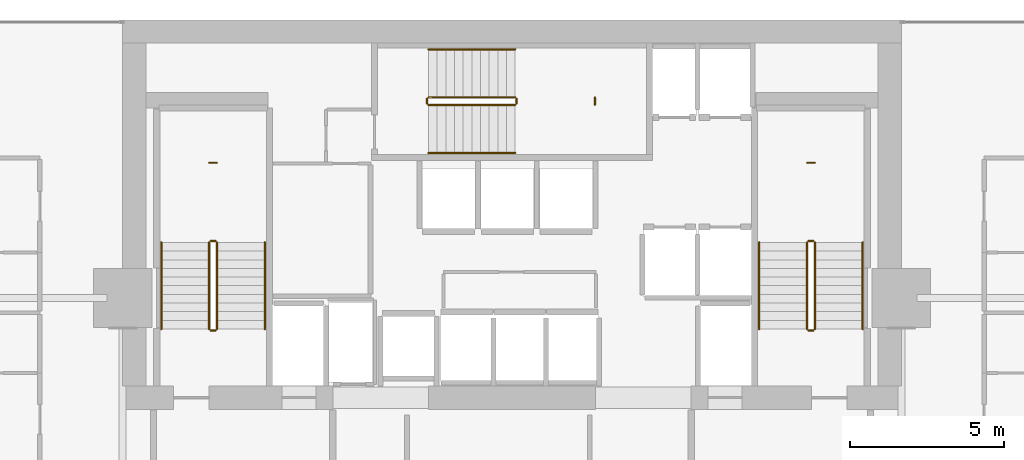
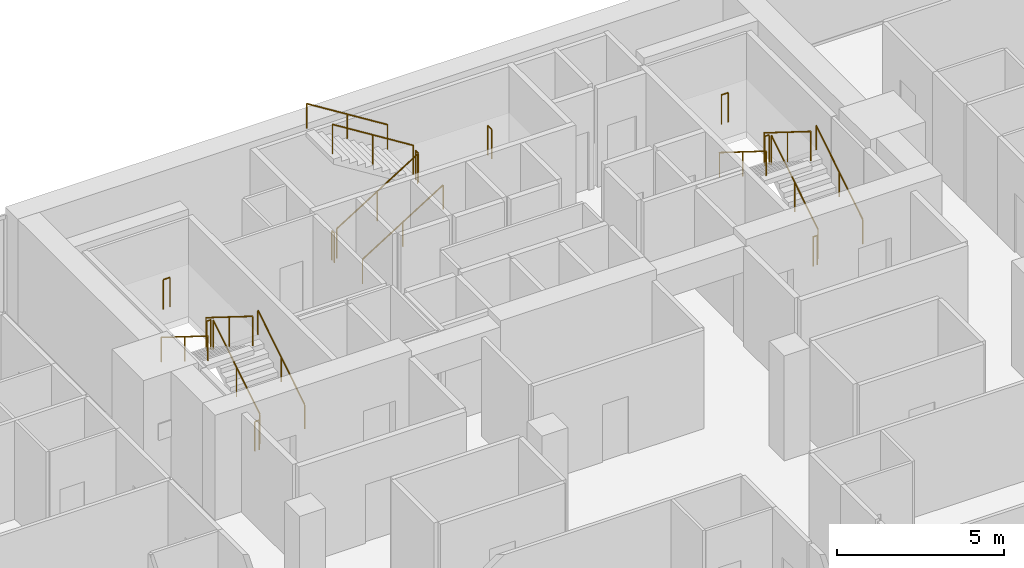
# One storey, part 34 of 34: 21 railings.
"""IFC4 building model written with IfcOpenShell, lengths in metres."""

from ifc_helpers import new_model, si_unit, direction, frame, origin, origin_2d, place, context, subcontext, project, spatial, circle, extrude, material, type_object, element, save


model = new_model("IFC4")

# Units and contexts
model_context = context("Model", 3, precision=1e-05, world=origin(), true_north=direction((0.0, 1.0)))
body_context = subcontext(model_context, "Body", "Model", "MODEL_VIEW")
ifc_project = project(units=[si_unit("LENGTHUNIT", "METRE"), si_unit("AREAUNIT", "SQUARE_METRE"), si_unit("VOLUMEUNIT", "CUBIC_METRE"), si_unit("PLANEANGLEUNIT", "RADIAN"), si_unit("MASSUNIT", "GRAM", prefix="KILO")], contexts=[model_context])

# Site, building, storey
site_placement = place(None, origin())
site = spatial("IfcSite", under=ifc_project, at=site_placement, CompositionType="ELEMENT")
building_placement = place(site_placement, origin())
building = spatial("IfcBuilding", under=site, at=building_placement, Name="Maruvema Waterfront Hotel and Observation Tower", CompositionType="ELEMENT")
storey_placement = place(building_placement, frame((0.0, 0.0, 173.60009765625)))
storey = spatial("IfcBuildingStorey", under=building, at=storey_placement, Name="L42", CompositionType="ELEMENT", Elevation=173.60009765625)

# Railings
ifc_material_1 = material(Name="Brushed stainless steel Grade 316", Category="steel")
railing_type_1 = type_object("IfcRailingType", Name="Ramp Continuous Wall Handrail 920 mm", PredefinedType="HANDRAIL", material=ifc_material_1)
railing_1_placement = place(storey_placement, frame((29.800048828125, 44.0, 0.1748046875)))
element("IfcRailing", 1, at=railing_1_placement, inside=storey, type_object=railing_type_1, Name="L42 ST-01 stair handrail 1", PredefinedType="HANDRAIL", context=body_context, shape_type="SweptSolid", body=[
    extrude(circle(Radius=0.02392578125, at=origin_2d()), frame((0.0, 0.0, 0.89599609375), z_axis=(0.0, 0.848002457836, 0.529992293815), x_axis=(-1.0, 0.0, 0.0)), (0.0, 0.0, 1.0), 3.302001953125),
    extrude(circle(Radius=0.02099609375, at=origin_2d()), origin(), (0.0, 0.0, 1.0), 0.871826171875),
    extrude(circle(Radius=0.02099609375, at=origin_2d()), frame((0.0, 1.39990234375, 0.875)), (0.0, 0.0, 1.0), 0.871826171875),
    extrude(circle(Radius=0.02099609375, at=origin_2d()), frame((0.0, 2.800048828125, 1.75)), (0.0, 0.0, 1.0), 0.871826171875),
])
railing_2_placement = place(storey_placement, frame((26.449951171875, 46.800048828125, 2.099853515625)))
element("IfcRailing", 2, at=railing_2_placement, inside=storey, type_object=railing_type_1, Name="L42 ST-01 stair handrail 2", PredefinedType="HANDRAIL", context=body_context, shape_type="SweptSolid", body=[
    extrude(circle(Radius=0.02392578125, at=origin_2d()), frame((0.0, 0.0, 0.89599609375), z_axis=(0.0, -0.848002457836, 0.529992293815), x_axis=(1.0, 0.0, 0.0)), (0.0, 0.0, 1.0), 3.302001953125),
    extrude(circle(Radius=0.02099609375, at=origin_2d()), origin(), (0.0, 0.0, 1.0), 0.871826171875),
    extrude(circle(Radius=0.02099609375, at=origin_2d()), frame((0.0, -1.39990234375, 0.875)), (0.0, 0.0, 1.0), 0.871826171875),
    extrude(circle(Radius=0.02099609375, at=origin_2d()), frame((0.0, -2.800048828125, 1.75)), (0.0, 0.0, 1.0), 0.871826171875),
])
railing_3_placement = place(storey_placement, frame((35.10009765625, 49.699951171875, 0.1748046875)))
element("IfcRailing", 3, at=railing_3_placement, inside=storey, type_object=railing_type_1, Name="L42 ST-02 stair handrail 1", PredefinedType="HANDRAIL", context=body_context, shape_type="SweptSolid", body=[
    extrude(circle(Radius=0.02392578125, at=origin_2d()), frame((0.0, 0.0, 0.89599609375), z_axis=(0.847981687118, 0.0, 0.530025526095), x_axis=(0.0, 1.0, 0.0)), (0.0, 0.0, 1.0), 3.3017578125),
    extrude(circle(Radius=0.02099609375, at=origin_2d()), origin(), (0.0, 0.0, 1.0), 0.871826171875),
    extrude(circle(Radius=0.02099609375, at=origin_2d()), frame((1.39990234375, 0.0, 0.875)), (0.0, 0.0, 1.0), 0.871826171875),
    extrude(circle(Radius=0.02099609375, at=origin_2d()), frame((2.7998046875, 0.0, 1.75)), (0.0, 0.0, 1.0), 0.871826171875),
])
railing_4_placement = place(storey_placement, frame((37.89990234375, 53.050048828125, 2.099853515625)))
element("IfcRailing", 4, at=railing_4_placement, inside=storey, type_object=railing_type_1, Name="L42 ST-02 stair handrail 2", PredefinedType="HANDRAIL", context=body_context, shape_type="SweptSolid", body=[
    extrude(circle(Radius=0.02392578125, at=origin_2d()), frame((0.0, 0.0, 0.89599609375), z_axis=(-0.847981687118, 0.0, 0.530025526095), x_axis=(0.0, -1.0, 0.0)), (0.0, 0.0, 1.0), 3.3017578125),
    extrude(circle(Radius=0.02099609375, at=origin_2d()), origin(), (0.0, 0.0, 1.0), 0.871826171875),
    extrude(circle(Radius=0.02099609375, at=origin_2d()), frame((-1.39990234375, 0.0, 0.875)), (0.0, 0.0, 1.0), 0.871826171875),
    extrude(circle(Radius=0.02099609375, at=origin_2d()), frame((-2.7998046875, 0.0, 1.75)), (0.0, 0.0, 1.0), 0.871826171875),
])
railing_5_placement = place(storey_placement, frame((49.14990234375, 44.0, 0.1748046875)))
element("IfcRailing", 5, at=railing_5_placement, inside=storey, type_object=railing_type_1, Name="L42 ST-03 stair handrail 1", PredefinedType="HANDRAIL", context=body_context, shape_type="SweptSolid", body=[
    extrude(circle(Radius=0.02392578125, at=origin_2d()), frame((0.0, 0.0, 0.89599609375), z_axis=(0.0, 0.848002457836, 0.529992293815), x_axis=(-1.0, 0.0, 0.0)), (0.0, 0.0, 1.0), 3.302001953125),
    extrude(circle(Radius=0.02099609375, at=origin_2d()), origin(), (0.0, 0.0, 1.0), 0.871826171875),
    extrude(circle(Radius=0.02099609375, at=origin_2d()), frame((0.0, 1.39990234375, 0.875)), (0.0, 0.0, 1.0), 0.871826171875),
    extrude(circle(Radius=0.02099609375, at=origin_2d()), frame((0.0, 2.800048828125, 1.75)), (0.0, 0.0, 1.0), 0.871826171875),
])
railing_6_placement = place(storey_placement, frame((45.800048828125, 46.800048828125, 2.099853515625)))
element("IfcRailing", 6, at=railing_6_placement, inside=storey, type_object=railing_type_1, Name="L42 ST-03 stair handrail 2", PredefinedType="HANDRAIL", context=body_context, shape_type="SweptSolid", body=[
    extrude(circle(Radius=0.02392578125, at=origin_2d()), frame((0.0, 0.0, 0.89599609375), z_axis=(0.0, -0.848002457836, 0.529992293815), x_axis=(1.0, 0.0, 0.0)), (0.0, 0.0, 1.0), 3.302001953125),
    extrude(circle(Radius=0.02099609375, at=origin_2d()), origin(), (0.0, 0.0, 1.0), 0.871826171875),
    extrude(circle(Radius=0.02099609375, at=origin_2d()), frame((0.0, -1.39990234375, 0.875)), (0.0, 0.0, 1.0), 0.871826171875),
    extrude(circle(Radius=0.02099609375, at=origin_2d()), frame((0.0, -2.800048828125, 1.75)), (0.0, 0.0, 1.0), 0.871826171875),
])
ifc_material_2 = material(Name="Brushed stainless steel Grade 316", Category="steel")
railing_type_2 = type_object("IfcRailingType", Name="Ramp and Terrace Guard Balustrade 1100 mm", PredefinedType="BALUSTRADE", material=ifc_material_2)
railing_7_placement = place(storey_placement, frame((28.25, 44.0, 0.1748046875)))
element("IfcRailing", 7, at=railing_7_placement, inside=storey, type_object=railing_type_2, Name="L42 ST-01 stair guard 1", PredefinedType="BALUSTRADE", context=body_context, shape_type="SweptSolid", body=[
    extrude(circle(Radius=0.02392578125, at=origin_2d()), frame((0.0, 0.0, 1.076171875), z_axis=(0.0, 0.848002457836, 0.529992293815), x_axis=(-1.0, 0.0, 0.0)), (0.0, 0.0, 1.0), 3.302001953125),
    extrude(circle(Radius=0.02099609375, at=origin_2d()), origin(), (0.0, 0.0, 1.0), 1.052001953125),
    extrude(circle(Radius=0.02099609375, at=origin_2d()), frame((0.0, 1.39990234375, 0.875)), (0.0, 0.0, 1.0), 1.052001953125),
    extrude(circle(Radius=0.02099609375, at=origin_2d()), frame((0.0, 2.800048828125, 1.75)), (0.0, 0.0, 1.0), 1.052001953125),
])
railing_8_placement = place(storey_placement, frame((28.199951171875, 46.85009765625, 1.9248046875)))
element("IfcRailing", 8, at=railing_8_placement, inside=storey, type_object=railing_type_2, Name="L42 ST-01 stair guard 2", PredefinedType="BALUSTRADE", context=body_context, shape_type="SweptSolid", body=[
    extrude(circle(Radius=0.02392578125, at=origin_2d()), frame((0.0, 0.0, 1.076171875), z_axis=(-1.0, 0.0, 0.0), x_axis=(0.0, -1.0, 0.0)), (0.0, 0.0, 1.0), 0.14990234375),
    extrude(circle(Radius=0.02099609375, at=origin_2d()), origin(), (0.0, 0.0, 1.0), 1.052001953125),
    extrude(circle(Radius=0.02099609375, at=origin_2d()), frame((-0.14990234375, 0.0, 0.0)), (0.0, 0.0, 1.0), 1.052001953125),
])
railing_9_placement = place(storey_placement, frame((28.0, 46.800048828125, 2.099853515625)))
element("IfcRailing", 9, at=railing_9_placement, inside=storey, type_object=railing_type_2, Name="L42 ST-01 stair guard 3", PredefinedType="BALUSTRADE", context=body_context, shape_type="SweptSolid", body=[
    extrude(circle(Radius=0.02392578125, at=origin_2d()), frame((0.0, 0.0, 1.076171875), z_axis=(0.0, -0.848002457836, 0.529992293815), x_axis=(1.0, 0.0, 0.0)), (0.0, 0.0, 1.0), 3.302001953125),
    extrude(circle(Radius=0.02099609375, at=origin_2d()), origin(), (0.0, 0.0, 1.0), 1.052001953125),
    extrude(circle(Radius=0.02099609375, at=origin_2d()), frame((0.0, -1.39990234375, 0.875)), (0.0, 0.0, 1.0), 1.052001953125),
    extrude(circle(Radius=0.02099609375, at=origin_2d()), frame((0.0, -2.800048828125, 1.75)), (0.0, 0.0, 1.0), 1.052001953125),
])
railing_10_placement = place(storey_placement, frame((28.199951171875, 43.949951171875, 0.0)))
element("IfcRailing", 10, at=railing_10_placement, inside=storey, type_object=railing_type_2, Name="L42 ST-01 stair guard 4", PredefinedType="BALUSTRADE", context=body_context, shape_type="SweptSolid", body=[
    extrude(circle(Radius=0.02392578125, at=origin_2d()), frame((0.0, 0.0, 1.076171875), z_axis=(-1.0, 0.0, 0.0), x_axis=(0.0, -1.0, 0.0)), (0.0, 0.0, 1.0), 0.14990234375),
    extrude(circle(Radius=0.02099609375, at=origin_2d()), origin(), (0.0, 0.0, 1.0), 1.052001953125),
    extrude(circle(Radius=0.02099609375, at=origin_2d()), frame((-0.14990234375, 0.0, 0.0)), (0.0, 0.0, 1.0), 1.052001953125),
])
railing_11_placement = place(storey_placement, frame((28.239990234375, 49.3798828125, 1.9248046875)))
element("IfcRailing", 11, at=railing_11_placement, inside=storey, type_object=railing_type_2, Name="L42 ST-01 Half-Landing Slot Guard", PredefinedType="BALUSTRADE", context=body_context, shape_type="SweptSolid", body=[
    extrude(circle(Radius=0.02392578125, at=origin_2d()), frame((0.0, 0.0, 1.076171875), z_axis=(-1.0, 0.0, 0.0), x_axis=(0.0, -1.0, 0.0)), (0.0, 0.0, 1.0), 0.22998046875),
    extrude(circle(Radius=0.02099609375, at=origin_2d()), origin(), (0.0, 0.0, 1.0), 1.052001953125),
    extrude(circle(Radius=0.02099609375, at=origin_2d()), frame((-0.22998046875, 0.0, 0.0)), (0.0, 0.0, 1.0), 1.052001953125),
])
railing_12_placement = place(storey_placement, frame((35.10009765625, 51.25, 0.1748046875)))
element("IfcRailing", 12, at=railing_12_placement, inside=storey, type_object=railing_type_2, Name="L42 ST-02 stair guard 1", PredefinedType="BALUSTRADE", context=body_context, shape_type="SweptSolid", body=[
    extrude(circle(Radius=0.02392578125, at=origin_2d()), frame((0.0, 0.0, 1.076171875), z_axis=(0.847981687118, 0.0, 0.530025526095), x_axis=(0.0, 1.0, 0.0)), (0.0, 0.0, 1.0), 3.3017578125),
    extrude(circle(Radius=0.02099609375, at=origin_2d()), origin(), (0.0, 0.0, 1.0), 1.052001953125),
    extrude(circle(Radius=0.02099609375, at=origin_2d()), frame((1.39990234375, 0.0, 0.875)), (0.0, 0.0, 1.0), 1.052001953125),
    extrude(circle(Radius=0.02099609375, at=origin_2d()), frame((2.7998046875, 0.0, 1.75)), (0.0, 0.0, 1.0), 1.052001953125),
])
railing_13_placement = place(storey_placement, frame((37.949951171875, 51.300048828125, 1.9248046875)))
element("IfcRailing", 13, at=railing_13_placement, inside=storey, type_object=railing_type_2, Name="L42 ST-02 stair guard 2", PredefinedType="BALUSTRADE", context=body_context, shape_type="SweptSolid", body=[
    extrude(circle(Radius=0.02392578125, at=origin_2d()), frame((0.0, 0.0, 1.076171875), z_axis=(0.0, 1.0, 0.0), x_axis=(-1.0, 0.0, 0.0)), (0.0, 0.0, 1.0), 0.14990234375),
    extrude(circle(Radius=0.02099609375, at=origin_2d()), origin(), (0.0, 0.0, 1.0), 1.052001953125),
    extrude(circle(Radius=0.02099609375, at=origin_2d()), frame((0.0, 0.14990234375, 0.0)), (0.0, 0.0, 1.0), 1.052001953125),
])
railing_14_placement = place(storey_placement, frame((37.89990234375, 51.5, 2.099853515625)))
element("IfcRailing", 14, at=railing_14_placement, inside=storey, type_object=railing_type_2, Name="L42 ST-02 stair guard 3", PredefinedType="BALUSTRADE", context=body_context, shape_type="SweptSolid", body=[
    extrude(circle(Radius=0.02392578125, at=origin_2d()), frame((0.0, 0.0, 1.076171875), z_axis=(-0.847981687118, 0.0, 0.530025526095), x_axis=(0.0, -1.0, 0.0)), (0.0, 0.0, 1.0), 3.3017578125),
    extrude(circle(Radius=0.02099609375, at=origin_2d()), origin(), (0.0, 0.0, 1.0), 1.052001953125),
    extrude(circle(Radius=0.02099609375, at=origin_2d()), frame((-1.39990234375, 0.0, 0.875)), (0.0, 0.0, 1.0), 1.052001953125),
    extrude(circle(Radius=0.02099609375, at=origin_2d()), frame((-2.7998046875, 0.0, 1.75)), (0.0, 0.0, 1.0), 1.052001953125),
])
railing_15_placement = place(storey_placement, frame((35.050048828125, 51.300048828125, 0.0)))
element("IfcRailing", 15, at=railing_15_placement, inside=storey, type_object=railing_type_2, Name="L42 ST-02 stair guard 4", PredefinedType="BALUSTRADE", context=body_context, shape_type="SweptSolid", body=[
    extrude(circle(Radius=0.02392578125, at=origin_2d()), frame((0.0, 0.0, 1.076171875), z_axis=(0.0, 1.0, 0.0), x_axis=(-1.0, 0.0, 0.0)), (0.0, 0.0, 1.0), 0.14990234375),
    extrude(circle(Radius=0.02099609375, at=origin_2d()), origin(), (0.0, 0.0, 1.0), 1.052001953125),
    extrude(circle(Radius=0.02099609375, at=origin_2d()), frame((0.0, 0.14990234375, 0.0)), (0.0, 0.0, 1.0), 1.052001953125),
])
railing_16_placement = place(storey_placement, frame((40.47998046875, 51.260009765625, 1.9248046875)))
element("IfcRailing", 16, at=railing_16_placement, inside=storey, type_object=railing_type_2, Name="L42 ST-02 Half-Landing Slot Guard", PredefinedType="BALUSTRADE", context=body_context, shape_type="SweptSolid", body=[
    extrude(circle(Radius=0.02392578125, at=origin_2d()), frame((0.0, 0.0, 1.076171875), z_axis=(0.0, 1.0, 0.0), x_axis=(-1.0, 0.0, 0.0)), (0.0, 0.0, 1.0), 0.22998046875),
    extrude(circle(Radius=0.02099609375, at=origin_2d()), origin(), (0.0, 0.0, 1.0), 1.052001953125),
    extrude(circle(Radius=0.02099609375, at=origin_2d()), frame((0.0, 0.22998046875, 0.0)), (0.0, 0.0, 1.0), 1.052001953125),
])
railing_17_placement = place(storey_placement, frame((47.60009765625, 44.0, 0.1748046875)))
element("IfcRailing", 17, at=railing_17_placement, inside=storey, type_object=railing_type_2, Name="L42 ST-03 stair guard 1", PredefinedType="BALUSTRADE", context=body_context, shape_type="SweptSolid", body=[
    extrude(circle(Radius=0.02392578125, at=origin_2d()), frame((0.0, 0.0, 1.076171875), z_axis=(0.0, 0.848002457836, 0.529992293815), x_axis=(-1.0, 0.0, 0.0)), (0.0, 0.0, 1.0), 3.302001953125),
    extrude(circle(Radius=0.02099609375, at=origin_2d()), origin(), (0.0, 0.0, 1.0), 1.052001953125),
    extrude(circle(Radius=0.02099609375, at=origin_2d()), frame((0.0, 1.39990234375, 0.875)), (0.0, 0.0, 1.0), 1.052001953125),
    extrude(circle(Radius=0.02099609375, at=origin_2d()), frame((0.0, 2.800048828125, 1.75)), (0.0, 0.0, 1.0), 1.052001953125),
])
railing_18_placement = place(storey_placement, frame((47.550048828125, 46.85009765625, 1.9248046875)))
element("IfcRailing", 18, at=railing_18_placement, inside=storey, type_object=railing_type_2, Name="L42 ST-03 stair guard 2", PredefinedType="BALUSTRADE", context=body_context, shape_type="SweptSolid", body=[
    extrude(circle(Radius=0.02392578125, at=origin_2d()), frame((0.0, 0.0, 1.076171875), z_axis=(-1.0, 0.0, 0.0), x_axis=(0.0, -1.0, 0.0)), (0.0, 0.0, 1.0), 0.150146484375),
    extrude(circle(Radius=0.02099609375, at=origin_2d()), origin(), (0.0, 0.0, 1.0), 1.052001953125),
    extrude(circle(Radius=0.02099609375, at=origin_2d()), frame((-0.150146484375, 0.0, 0.0)), (0.0, 0.0, 1.0), 1.052001953125),
])
railing_19_placement = place(storey_placement, frame((47.35009765625, 46.800048828125, 2.099853515625)))
element("IfcRailing", 19, at=railing_19_placement, inside=storey, type_object=railing_type_2, Name="L42 ST-03 stair guard 3", PredefinedType="BALUSTRADE", context=body_context, shape_type="SweptSolid", body=[
    extrude(circle(Radius=0.02392578125, at=origin_2d()), frame((0.0, 0.0, 1.076171875), z_axis=(0.0, -0.848002457836, 0.529992293815), x_axis=(1.0, 0.0, 0.0)), (0.0, 0.0, 1.0), 3.302001953125),
    extrude(circle(Radius=0.02099609375, at=origin_2d()), origin(), (0.0, 0.0, 1.0), 1.052001953125),
    extrude(circle(Radius=0.02099609375, at=origin_2d()), frame((0.0, -1.39990234375, 0.875)), (0.0, 0.0, 1.0), 1.052001953125),
    extrude(circle(Radius=0.02099609375, at=origin_2d()), frame((0.0, -2.800048828125, 1.75)), (0.0, 0.0, 1.0), 1.052001953125),
])
railing_20_placement = place(storey_placement, frame((47.550048828125, 43.949951171875, 0.0)))
element("IfcRailing", 20, at=railing_20_placement, inside=storey, type_object=railing_type_2, Name="L42 ST-03 stair guard 4", PredefinedType="BALUSTRADE", context=body_context, shape_type="SweptSolid", body=[
    extrude(circle(Radius=0.02392578125, at=origin_2d()), frame((0.0, 0.0, 1.076171875), z_axis=(-1.0, 0.0, 0.0), x_axis=(0.0, -1.0, 0.0)), (0.0, 0.0, 1.0), 0.150146484375),
    extrude(circle(Radius=0.02099609375, at=origin_2d()), origin(), (0.0, 0.0, 1.0), 1.052001953125),
    extrude(circle(Radius=0.02099609375, at=origin_2d()), frame((-0.150146484375, 0.0, 0.0)), (0.0, 0.0, 1.0), 1.052001953125),
])
railing_21_placement = place(storey_placement, frame((47.590087890625, 49.3798828125, 1.9248046875)))
element("IfcRailing", 21, at=railing_21_placement, inside=storey, type_object=railing_type_2, Name="L42 ST-03 Half-Landing Slot Guard", PredefinedType="BALUSTRADE", context=body_context, shape_type="SweptSolid", body=[
    extrude(circle(Radius=0.02392578125, at=origin_2d()), frame((0.0, 0.0, 1.076171875), z_axis=(-1.0, 0.0, 0.0), x_axis=(0.0, -1.0, 0.0)), (0.0, 0.0, 1.0), 0.22998046875),
    extrude(circle(Radius=0.02099609375, at=origin_2d()), origin(), (0.0, 0.0, 1.0), 1.052001953125),
    extrude(circle(Radius=0.02099609375, at=origin_2d()), frame((-0.22998046875, 0.0, 0.0)), (0.0, 0.0, 1.0), 1.052001953125),
])

save(model, "model.ifc")
